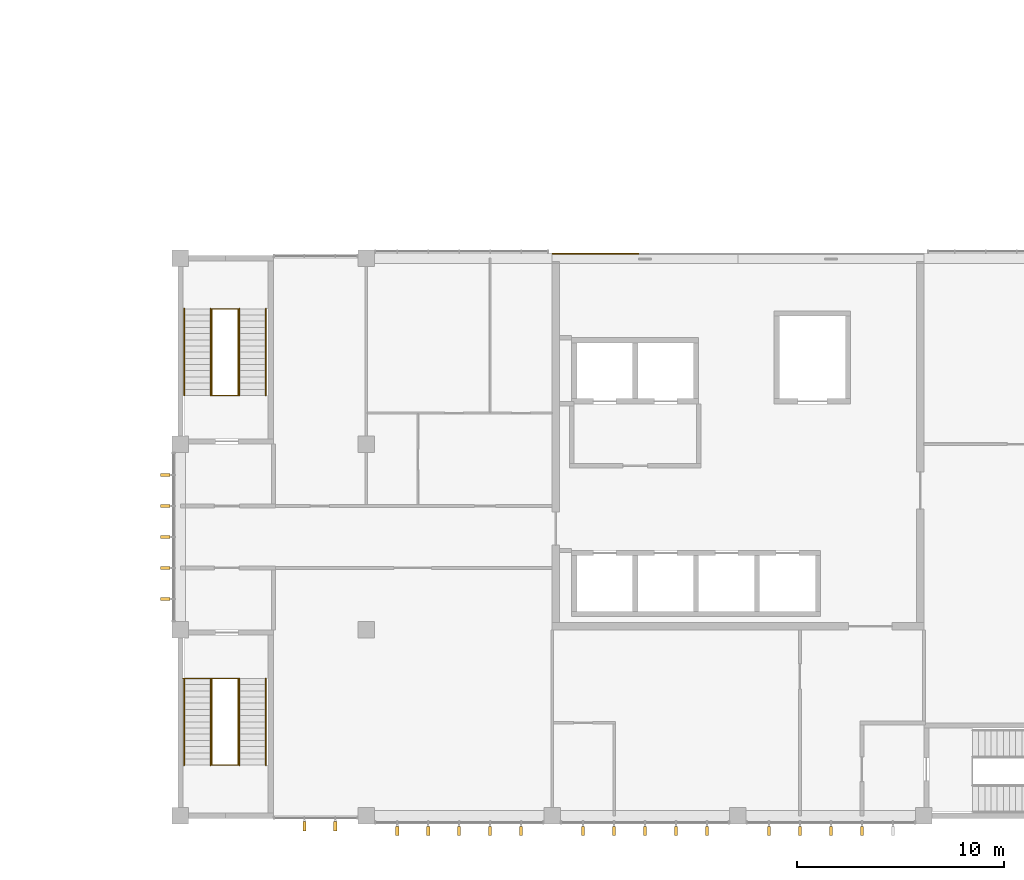
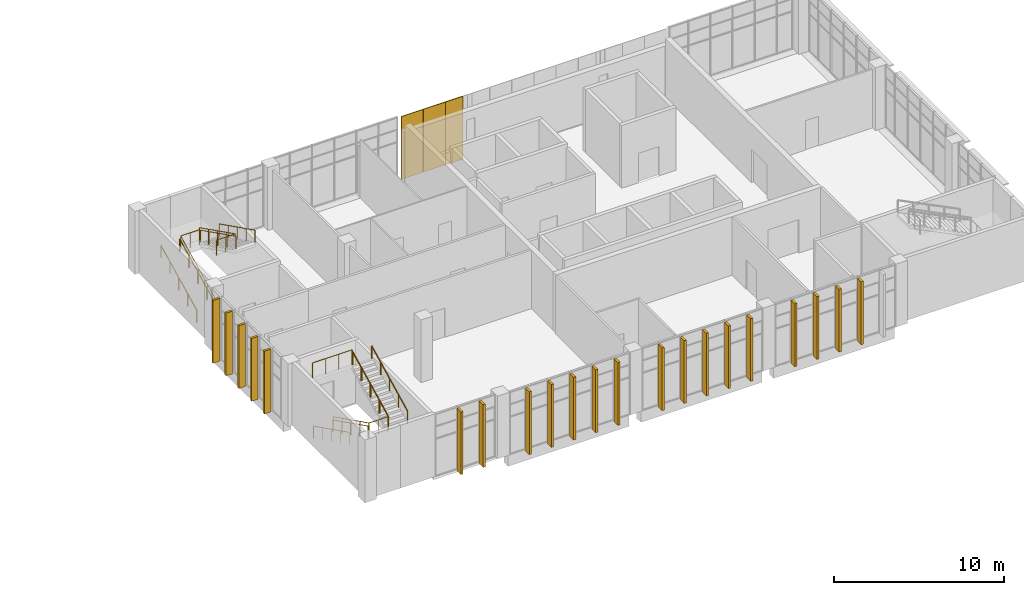
# One storey, part 42 of 43: 21 shading devices, 10 railings, 3 coverings.
"""IFC4 building model written with IfcOpenShell, lengths in metres."""

from ifc_helpers import new_model, si_unit, direction, frame, origin, origin_2d, place, context, subcontext, project, spatial, rectangle, circle, extrude, material, layer, layer_set, type_object, element, save


model = new_model("IFC4")

# Units and contexts
model_context = context("Model", 3, precision=1e-05, world=origin(), true_north=direction((0.0, 1.0)))
body_context = subcontext(model_context, "Body", "Model", "MODEL_VIEW")
ifc_project = project(units=[si_unit("LENGTHUNIT", "METRE"), si_unit("AREAUNIT", "SQUARE_METRE"), si_unit("VOLUMEUNIT", "CUBIC_METRE"), si_unit("PLANEANGLEUNIT", "RADIAN"), si_unit("MASSUNIT", "GRAM", prefix="KILO")], contexts=[model_context])

# Site, building, storey
site_placement = place(None, origin())
site = spatial("IfcSite", under=ifc_project, at=site_placement, CompositionType="ELEMENT")
building_placement = place(site_placement, origin())
building = spatial("IfcBuilding", under=site, at=building_placement, Name="Guidao Yard Department Store", CompositionType="ELEMENT")
storey_placement = place(building_placement, frame((0.0, 0.0, 28.5)))
storey = spatial("IfcBuildingStorey", under=building, at=storey_placement, Name="L06", CompositionType="ELEMENT", Elevation=28.5)

# Coverings
ifc_material_1 = material(Name="Anodised aluminium 6063-T5 cladding", Category="aluminium")
ifc_layer = layer(ifc_material_1, 0.050048828125)
ifc_layer_set = layer_set([ifc_layer], Name="Facade cladding CP1 anodised aluminium panel 6063")
covering_type = type_object("IfcCoveringType", Name="Facade cladding CP1 anodised aluminium panel 6063", PredefinedType="CLADDING", material=ifc_layer_set)
for number, where, z_axis, x_axis, name in (
    (1, (144.75, 27.22509765625, 0.0), (0.0, 0.0, 1.0), (1.0, 0.0, 0.0), "Core face cladding"),
    (2, (146.25, 27.22509765625, 0.0), (0.0, 0.0, 1.0), (1.0, 0.0, 0.0), "Core face cladding"),
):
    element("IfcCovering", number, at=place(storey_placement, frame(where, z_axis=z_axis, x_axis=x_axis)), inside=storey, type_object=covering_type, Name=name, PredefinedType="CLADDING", context=body_context, shape_type="SweptSolid", body=[
        extrude(rectangle(XDim=1.47998046875, YDim=0.050048828125, at=origin_2d()), origin(), (0.0, 0.0, 1.0), 4.5),
    ])
covering_placement = place(storey_placement, frame((147.60009765625, 27.22509765625, 0.0), z_axis=(0.0, 0.0, 1.0), x_axis=(1.0, 0.0, 0.0)))
element("IfcCovering", 3, at=covering_placement, inside=storey, type_object=covering_type, Name="Core face cladding", PredefinedType="CLADDING", context=body_context, shape_type="SweptSolid", body=[
    extrude(rectangle(XDim=1.179931640625, YDim=0.050048828125, at=origin_2d()), origin(), (0.0, 0.0, 1.0), 4.5),
])

# Railings
ifc_material_2 = material(Name="Steel Q235", Category="steel")
railing_type_1 = type_object("IfcRailingType", Name="Guard steel balustrade 1100", PredefinedType="GUARDRAIL", material=ifc_material_2)
railing_1_placement = place(storey_placement, frame((127.52490234375, 6.64990234375, 0.14990234375)))
element("IfcRailing", 4, at=railing_1_placement, inside=storey, type_object=railing_type_1, Name="Stair O1 guard L06 1", PredefinedType="GUARDRAIL", context=body_context, shape_type="SweptSolid", body=[
    extrude(circle(Radius=0.02392578125, at=origin_2d()), frame((0.0, 0.0, 1.076171875), z_axis=(0.0, -0.894416792377, 0.447234392142), x_axis=(1.0, 0.0, 0.0)), (0.0, 0.0, 1.0), 4.69580078125),
    extrude(circle(Radius=0.02392578125, at=origin_2d()), frame((0.0, -4.199951171875, 3.17626953125), z_axis=(1.0, 0.0, 0.0), x_axis=(0.0, 1.0, 0.0)), (0.0, 0.0, 1.0), 1.275146484375),
    extrude(circle(Radius=0.02392578125, at=origin_2d()), frame((1.275146484375, -4.199951171875, 3.17626953125), z_axis=(0.0, 0.0, 1.0), x_axis=(1.0, 0.0, 0.0)), (0.0, 0.0, 1.0), 0.14990234375),
    extrude(circle(Radius=0.02392578125, at=origin_2d()), frame((1.275146484375, -4.199951171875, 3.326171875), z_axis=(0.0, 0.894416792377, 0.447234392142), x_axis=(-1.0, 0.0, 0.0)), (0.0, 0.0, 1.0), 4.69580078125),
    extrude(circle(Radius=0.02392578125, at=origin_2d()), frame((1.275146484375, 0.0, 5.42626953125), z_axis=(-1.0, 0.0, 0.0), x_axis=(0.0, -1.0, 0.0)), (0.0, 0.0, 1.0), 2.675048828125),
    extrude(circle(Radius=0.02099609375, at=origin_2d()), origin(), (0.0, 0.0, 1.0), 1.052001953125),
    extrude(circle(Radius=0.02099609375, at=origin_2d()), frame((0.0, -1.050048828125, 0.52490234375)), (0.0, 0.0, 1.0), 1.052001953125),
    extrude(circle(Radius=0.02099609375, at=origin_2d()), frame((0.0, -2.10009765625, 1.050048828125)), (0.0, 0.0, 1.0), 1.052001953125),
    extrude(circle(Radius=0.02099609375, at=origin_2d()), frame((0.0, -3.14990234375, 1.5751953125)), (0.0, 0.0, 1.0), 1.052001953125),
    extrude(circle(Radius=0.02099609375, at=origin_2d()), frame((0.0, -4.199951171875, 2.10009765625)), (0.0, 0.0, 1.0), 1.052001953125),
    extrude(circle(Radius=0.02099609375, at=origin_2d()), frame((0.6376953125, -4.199951171875, 2.10009765625)), (0.0, 0.0, 1.0), 1.052001953125),
    extrude(circle(Radius=0.02099609375, at=origin_2d()), frame((1.275146484375, -4.199951171875, 2.10009765625)), (0.0, 0.0, 1.0), 1.052001953125),
    extrude(circle(Radius=0.02099609375, at=origin_2d()), frame((1.275146484375, -4.199951171875, 2.25)), (0.0, 0.0, 1.0), 1.052001953125),
    extrude(circle(Radius=0.02099609375, at=origin_2d()), frame((1.275146484375, -3.14990234375, 2.77490234375)), (0.0, 0.0, 1.0), 1.052001953125),
    extrude(circle(Radius=0.02099609375, at=origin_2d()), frame((1.275146484375, -2.10009765625, 3.300048828125)), (0.0, 0.0, 1.0), 1.052001953125),
    extrude(circle(Radius=0.02099609375, at=origin_2d()), frame((1.275146484375, -1.050048828125, 3.8251953125)), (0.0, 0.0, 1.0), 1.052001953125),
    extrude(circle(Radius=0.02099609375, at=origin_2d()), frame((1.275146484375, 0.0, 4.35009765625)), (0.0, 0.0, 1.0), 1.052001953125),
    extrude(circle(Radius=0.02099609375, at=origin_2d()), frame((0.383544921875, 0.0, 4.35009765625)), (0.0, 0.0, 1.0), 1.052001953125),
    extrude(circle(Radius=0.02099609375, at=origin_2d()), frame((-0.50830078125, 0.0, 4.35009765625)), (0.0, 0.0, 1.0), 1.052001953125),
    extrude(circle(Radius=0.02099609375, at=origin_2d()), frame((-1.39990234375, 0.0, 4.35009765625)), (0.0, 0.0, 1.0), 1.052001953125),
])
railing_2_placement = place(storey_placement, frame((127.52490234375, 20.35009765625, 0.14990234375)))
element("IfcRailing", 5, at=railing_2_placement, inside=storey, type_object=railing_type_1, Name="Stair O3 guard L06 3", PredefinedType="GUARDRAIL", context=body_context, shape_type="SweptSolid", body=[
    extrude(circle(Radius=0.02392578125, at=origin_2d()), frame((0.0, 0.0, 1.076171875), z_axis=(0.0, 0.894416792377, 0.447234392142), x_axis=(-1.0, 0.0, 0.0)), (0.0, 0.0, 1.0), 4.69580078125),
    extrude(circle(Radius=0.02392578125, at=origin_2d()), frame((0.0, 4.199951171875, 3.17626953125), z_axis=(1.0, 0.0, 0.0), x_axis=(0.0, 1.0, 0.0)), (0.0, 0.0, 1.0), 1.275146484375),
    extrude(circle(Radius=0.02392578125, at=origin_2d()), frame((1.275146484375, 4.199951171875, 3.17626953125), z_axis=(0.0, 0.0, 1.0), x_axis=(1.0, 0.0, 0.0)), (0.0, 0.0, 1.0), 0.14990234375),
    extrude(circle(Radius=0.02392578125, at=origin_2d()), frame((1.275146484375, 4.199951171875, 3.326171875), z_axis=(0.0, -0.894416792377, 0.447234392142), x_axis=(1.0, 0.0, 0.0)), (0.0, 0.0, 1.0), 4.69580078125),
    extrude(circle(Radius=0.02392578125, at=origin_2d()), frame((1.275146484375, 0.0, 5.42626953125), z_axis=(-1.0, 0.0, 0.0), x_axis=(0.0, -1.0, 0.0)), (0.0, 0.0, 1.0), 1.275146484375),
    extrude(circle(Radius=0.02099609375, at=origin_2d()), origin(), (0.0, 0.0, 1.0), 1.052001953125),
    extrude(circle(Radius=0.02099609375, at=origin_2d()), frame((0.0, 1.050048828125, 0.52490234375)), (0.0, 0.0, 1.0), 1.052001953125),
    extrude(circle(Radius=0.02099609375, at=origin_2d()), frame((0.0, 2.10009765625, 1.050048828125)), (0.0, 0.0, 1.0), 1.052001953125),
    extrude(circle(Radius=0.02099609375, at=origin_2d()), frame((0.0, 3.14990234375, 1.5751953125)), (0.0, 0.0, 1.0), 1.052001953125),
    extrude(circle(Radius=0.02099609375, at=origin_2d()), frame((0.0, 4.199951171875, 2.10009765625)), (0.0, 0.0, 1.0), 1.052001953125),
    extrude(circle(Radius=0.02099609375, at=origin_2d()), frame((0.6376953125, 4.199951171875, 2.10009765625)), (0.0, 0.0, 1.0), 1.052001953125),
    extrude(circle(Radius=0.02099609375, at=origin_2d()), frame((1.275146484375, 4.199951171875, 2.10009765625)), (0.0, 0.0, 1.0), 1.052001953125),
    extrude(circle(Radius=0.02099609375, at=origin_2d()), frame((1.275146484375, 4.199951171875, 2.25)), (0.0, 0.0, 1.0), 1.052001953125),
    extrude(circle(Radius=0.02099609375, at=origin_2d()), frame((1.275146484375, 3.14990234375, 2.77490234375)), (0.0, 0.0, 1.0), 1.052001953125),
    extrude(circle(Radius=0.02099609375, at=origin_2d()), frame((1.275146484375, 2.10009765625, 3.300048828125)), (0.0, 0.0, 1.0), 1.052001953125),
    extrude(circle(Radius=0.02099609375, at=origin_2d()), frame((1.275146484375, 1.050048828125, 3.8251953125)), (0.0, 0.0, 1.0), 1.052001953125),
    extrude(circle(Radius=0.02099609375, at=origin_2d()), frame((1.275146484375, 0.0, 4.35009765625)), (0.0, 0.0, 1.0), 1.052001953125),
    extrude(circle(Radius=0.02099609375, at=origin_2d()), frame((0.6376953125, 0.0, 4.35009765625)), (0.0, 0.0, 1.0), 1.052001953125),
    extrude(circle(Radius=0.02099609375, at=origin_2d()), frame((0.0, 0.0, 4.35009765625)), (0.0, 0.0, 1.0), 1.052001953125),
])
ifc_material_3 = material(Name="Steel Q235", Category="steel")
railing_type_2 = type_object("IfcRailingType", Name="Handrail steel tube 48", PredefinedType="HANDRAIL", material=ifc_material_3)
for number, where, name in (
    (6, (126.18505859375, 6.64990234375, 0.14990234375), "Stair O1 hand rail L06 1"),
    (7, (127.465087890625, 6.64990234375, 0.14990234375), "Stair O1 hand rail L06 2"),
):
    element("IfcRailing", number, at=place(storey_placement, frame(where)), inside=storey, type_object=railing_type_2, Name=name, PredefinedType="HANDRAIL", context=body_context, shape_type="SweptSolid", body=[
        extrude(circle(Radius=0.02392578125, at=origin_2d()), frame((0.0, 0.0, 0.8759765625), z_axis=(0.0, -0.894416792377, 0.447234392142), x_axis=(1.0, 0.0, 0.0)), (0.0, 0.0, 1.0), 4.69580078125),
        extrude(circle(Radius=0.02099609375, at=origin_2d()), origin(), (0.0, 0.0, 1.0), 0.851806640625),
        extrude(circle(Radius=0.02099609375, at=origin_2d()), frame((0.0, -1.050048828125, 0.52490234375)), (0.0, 0.0, 1.0), 0.851806640625),
        extrude(circle(Radius=0.02099609375, at=origin_2d()), frame((0.0, -2.10009765625, 1.050048828125)), (0.0, 0.0, 1.0), 0.851806640625),
        extrude(circle(Radius=0.02099609375, at=origin_2d()), frame((0.0, -3.14990234375, 1.5751953125)), (0.0, 0.0, 1.0), 0.851806640625),
        extrude(circle(Radius=0.02099609375, at=origin_2d()), frame((0.0, -4.199951171875, 2.10009765625)), (0.0, 0.0, 1.0), 0.851806640625),
    ])
for number, where, name in (
    (8, (128.860107421875, 2.449951171875, 2.39990234375), "Stair O1 hand rail L06 3"),
    (9, (130.139892578125, 2.449951171875, 2.39990234375), "Stair O1 hand rail L06 4"),
    (10, (126.18505859375, 20.35009765625, 0.14990234375), "Stair O3 hand rail L06 9"),
    (11, (127.465087890625, 20.35009765625, 0.14990234375), "Stair O3 hand rail L06 10"),
):
    element("IfcRailing", number, at=place(storey_placement, frame(where)), inside=storey, type_object=railing_type_2, Name=name, PredefinedType="HANDRAIL", context=body_context, shape_type="SweptSolid", body=[
        extrude(circle(Radius=0.02392578125, at=origin_2d()), frame((0.0, 0.0, 0.8759765625), z_axis=(0.0, 0.894416792377, 0.447234392142), x_axis=(-1.0, 0.0, 0.0)), (0.0, 0.0, 1.0), 4.69580078125),
        extrude(circle(Radius=0.02099609375, at=origin_2d()), origin(), (0.0, 0.0, 1.0), 0.851806640625),
        extrude(circle(Radius=0.02099609375, at=origin_2d()), frame((0.0, 1.050048828125, 0.52490234375)), (0.0, 0.0, 1.0), 0.851806640625),
        extrude(circle(Radius=0.02099609375, at=origin_2d()), frame((0.0, 2.10009765625, 1.050048828125)), (0.0, 0.0, 1.0), 0.851806640625),
        extrude(circle(Radius=0.02099609375, at=origin_2d()), frame((0.0, 3.14990234375, 1.5751953125)), (0.0, 0.0, 1.0), 0.851806640625),
        extrude(circle(Radius=0.02099609375, at=origin_2d()), frame((0.0, 4.199951171875, 2.10009765625)), (0.0, 0.0, 1.0), 0.851806640625),
    ])
for number, where, name in (
    (12, (128.860107421875, 24.550048828125, 2.39990234375), "Stair O3 hand rail L06 11"),
    (13, (130.139892578125, 24.550048828125, 2.39990234375), "Stair O3 hand rail L06 12"),
):
    element("IfcRailing", number, at=place(storey_placement, frame(where)), inside=storey, type_object=railing_type_2, Name=name, PredefinedType="HANDRAIL", context=body_context, shape_type="SweptSolid", body=[
        extrude(circle(Radius=0.02392578125, at=origin_2d()), frame((0.0, 0.0, 0.8759765625), z_axis=(0.0, -0.894416792377, 0.447234392142), x_axis=(1.0, 0.0, 0.0)), (0.0, 0.0, 1.0), 4.69580078125),
        extrude(circle(Radius=0.02099609375, at=origin_2d()), origin(), (0.0, 0.0, 1.0), 0.851806640625),
        extrude(circle(Radius=0.02099609375, at=origin_2d()), frame((0.0, -1.050048828125, 0.52490234375)), (0.0, 0.0, 1.0), 0.851806640625),
        extrude(circle(Radius=0.02099609375, at=origin_2d()), frame((0.0, -2.10009765625, 1.050048828125)), (0.0, 0.0, 1.0), 0.851806640625),
        extrude(circle(Radius=0.02099609375, at=origin_2d()), frame((0.0, -3.14990234375, 1.5751953125)), (0.0, 0.0, 1.0), 0.851806640625),
        extrude(circle(Radius=0.02099609375, at=origin_2d()), frame((0.0, -4.199951171875, 2.10009765625)), (0.0, 0.0, 1.0), 0.851806640625),
    ])

# Shading devices
ifc_material_4 = material(Name="Aluminium 6063-T5", Category="aluminium")
shading_device_type = type_object("IfcShadingDeviceType", Name="Vertical fin FN2 aluminium 150 x 450", PredefinedType="SHUTTER", material=ifc_material_4)
for number, where, z_axis, x_axis, name in (
    (14, (132.0, -0.5048828125, 0.0), (0.0, 0.0, 1.0), (-1.0, 0.0, 0.0), "Vertical fin"),
    (15, (133.5, -0.5048828125, 0.0), (0.0, 0.0, 1.0), (-1.0, 0.0, 0.0), "Vertical fin"),
    (16, (136.5, -0.735107421875, 0.0), (0.0, 0.0, 1.0), (-1.0, 0.0, 0.0), "Vertical fin"),
    (17, (138.0, -0.735107421875, 0.0), (0.0, 0.0, 1.0), (-1.0, 0.0, 0.0), "Vertical fin"),
    (18, (139.5, -0.735107421875, 0.0), (0.0, 0.0, 1.0), (-1.0, 0.0, 0.0), "Vertical fin"),
    (19, (141.0, -0.735107421875, 0.0), (0.0, 0.0, 1.0), (-1.0, 0.0, 0.0), "Vertical fin"),
    (20, (142.5, -0.735107421875, 0.0), (0.0, 0.0, 1.0), (-1.0, 0.0, 0.0), "Vertical fin"),
    (21, (145.5, -0.735107421875, 0.0), (0.0, 0.0, 1.0), (-1.0, 0.0, 0.0), "Vertical fin"),
    (22, (147.0, -0.735107421875, 0.0), (0.0, 0.0, 1.0), (-1.0, 0.0, 0.0), "Vertical fin"),
    (23, (148.5, -0.735107421875, 0.0), (0.0, 0.0, 1.0), (-1.0, 0.0, 0.0), "Vertical fin"),
    (24, (150.0, -0.735107421875, 0.0), (0.0, 0.0, 1.0), (-1.0, 0.0, 0.0), "Vertical fin"),
    (25, (151.5, -0.735107421875, 0.0), (0.0, 0.0, 1.0), (-1.0, 0.0, 0.0), "Vertical fin"),
    (26, (154.5, -0.735107421875, 0.0), (0.0, 0.0, 1.0), (-1.0, 0.0, 0.0), "Vertical fin"),
    (27, (156.0, -0.735107421875, 0.0), (0.0, 0.0, 1.0), (-1.0, 0.0, 0.0), "Vertical fin"),
    (28, (157.5, -0.735107421875, 0.0), (0.0, 0.0, 1.0), (-1.0, 0.0, 0.0), "Vertical fin"),
    (29, (159.0, -0.735107421875, 0.0), (0.0, 0.0, 1.0), (-1.0, 0.0, 0.0), "Vertical fin"),
    (30, (125.264892578125, 10.5, 0.0), (0.0, 0.0, 1.0), (0.0, 1.0, 0.0), "Vertical fin"),
    (31, (125.264892578125, 12.0, 0.0), (0.0, 0.0, 1.0), (0.0, 1.0, 0.0), "Vertical fin"),
    (32, (125.264892578125, 13.5, 0.0), (0.0, 0.0, 1.0), (0.0, 1.0, 0.0), "Vertical fin"),
    (33, (125.264892578125, 15.0, 0.0), (0.0, 0.0, 1.0), (0.0, 1.0, 0.0), "Vertical fin"),
    (34, (125.264892578125, 16.5, 0.0), (0.0, 0.0, 1.0), (0.0, 1.0, 0.0), "Vertical fin"),
):
    element("IfcShadingDevice", number, at=place(storey_placement, frame(where, z_axis=z_axis, x_axis=x_axis)), inside=storey, type_object=shading_device_type, Name=name, PredefinedType="SHUTTER", context=body_context, shape_type="SweptSolid", body=[
        extrude(rectangle(XDim=0.14990234375, YDim=0.449951171875, at=origin_2d()), origin(), (0.0, 0.0, 1.0), 4.5),
    ])

save(model, "model.ifc")
